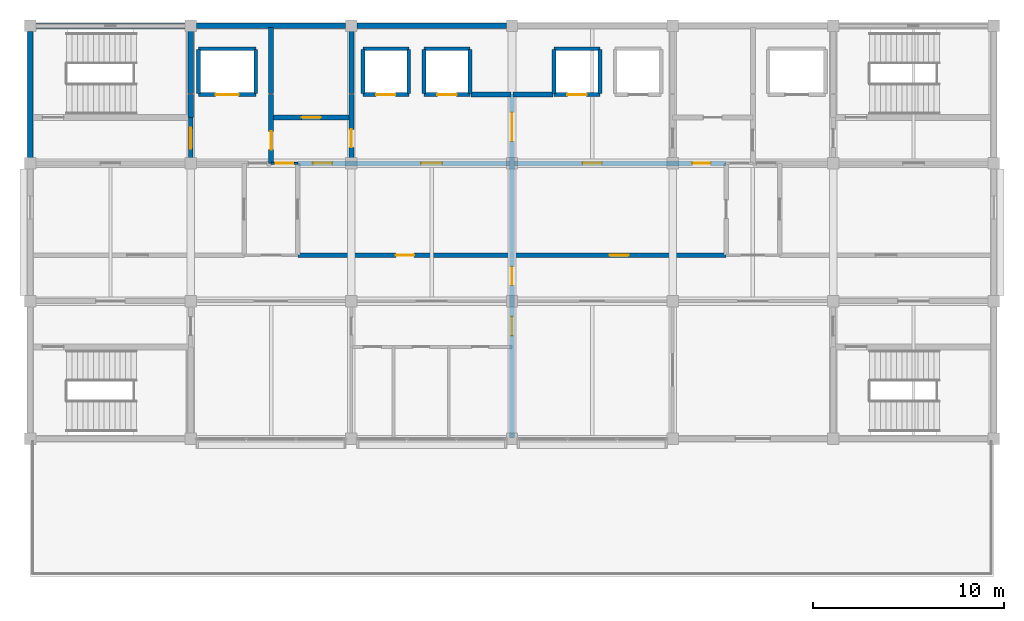
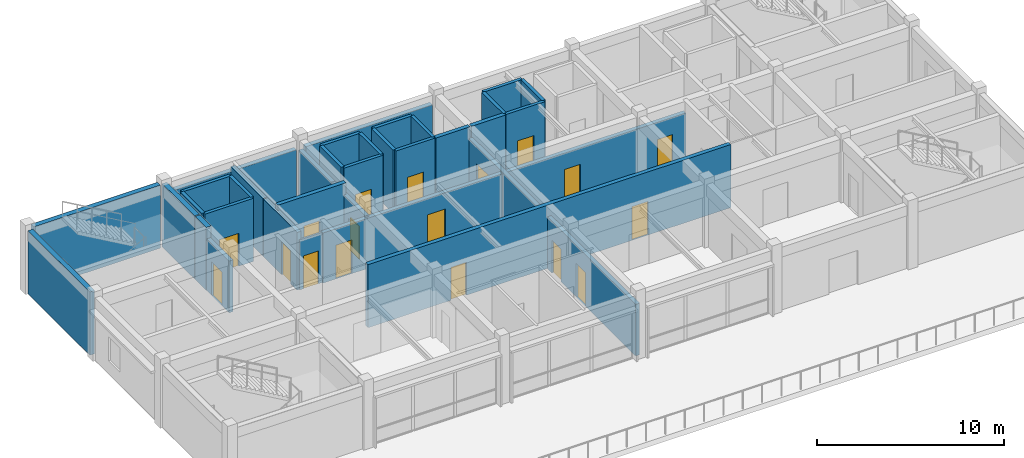
# One storey, part 7 of 11: 34 walls, 18 doors, 18 openings.
"""IFC4 building model written with IfcOpenShell, lengths in metres."""

import ifcopenshell
import ifcopenshell.guid

model = None  # the IFC model being written
_history = None  # IfcOwnerHistory: only IFC2X3 demands one
_inside = {}  # id of a spatial element -> (the spatial element, [elements in it])
_under = {}  # id of a project, library or spatial element -> (it, [spatial elements below it])
_declared = {}  # id of a project -> (the project, [libraries it declares])
_typed = {}  # id of a type object -> (the type object, [elements of that type])
_made_of = {}  # id of a material, layer set ... -> (it, [elements and type objects made of it])


def new_model(schema):
    """Start an empty IFC model of exactly this schema.

    Asked for "IFC4X3", IfcOpenShell would pick the latest addendum, in which some entities
    have other attributes; the version numbers below select the first issue.
    IFC2X3 requires an IfcOwnerHistory on every rooted entity: one is made here for all.
    """
    global model, _history
    if schema == "IFC4X3":
        model = ifcopenshell.file(schema_version=(4, 3, 0, 0))
    else:
        model = ifcopenshell.file(schema=schema)
    _inside.clear()
    _under.clear()
    _declared.clear()
    _typed.clear()
    _made_of.clear()
    _history = None
    if model.schema == "IFC2X3":
        org = make("IfcOrganization", Name="unknown")
        user = make(
            "IfcPersonAndOrganization",
            ThePerson=make("IfcPerson", FamilyName="unknown"),
            TheOrganization=org,
        )
        app = make(
            "IfcApplication",
            ApplicationDeveloper=org,
            Version="unknown",
            ApplicationFullName="unknown",
            ApplicationIdentifier="unknown",
        )
        _history = make(
            "IfcOwnerHistory",
            OwningUser=user,
            OwningApplication=app,
            ChangeAction="ADDED",
            CreationDate=0,
        )
    return model


def make(cls, **values):
    """One entity of the class cls with the attributes given. An attribute that is None is left unset."""
    return model.create_entity(
        cls, **{name: value for name, value in values.items() if value is not None}
    )


def rooted(cls, **values):
    """An entity with a GlobalId (a new one), such as an element, a storey or a relation."""
    return make(cls, GlobalId=ifcopenshell.guid.new(), OwnerHistory=_history, **values)


def si_unit(unit_type, name, prefix=None):
    """IfcSIUnit, for example si_unit("LENGTHUNIT", "METRE", prefix="MILLI")."""
    return make("IfcSIUnit", UnitType=unit_type, Prefix=prefix, Name=name)


def assignment(units):
    """IfcUnitAssignment: the units of a project."""
    return None if units is None else make("IfcUnitAssignment", Units=units)


def point(xyz):
    """IfcCartesianPoint."""
    return None if xyz is None else make("IfcCartesianPoint", Coordinates=xyz)


def direction(xyz):
    """IfcDirection."""
    return None if xyz is None else make("IfcDirection", DirectionRatios=xyz)


def frame(location, z_axis=None, x_axis=None):
    """IfcAxis2Placement3D, a coordinate frame: its origin and axes. An axis left out is left unset."""
    return make(
        "IfcAxis2Placement3D",
        Location=point(location),
        Axis=direction(z_axis),
        RefDirection=direction(x_axis),
    )


def frame_2d(location, x_axis=None):
    """IfcAxis2Placement2D, a coordinate frame in the plane: its origin and x axis."""
    return make(
        "IfcAxis2Placement2D", Location=point(location), RefDirection=direction(x_axis)
    )


def origin():
    """The frame at (0, 0, 0) with its axes left unset."""
    return frame((0.0, 0.0, 0.0))


def place(relative_to, where):
    """IfcLocalPlacement: puts the frame where relative to a parent placement (None: the world)."""
    return make(
        "IfcLocalPlacement", PlacementRelTo=relative_to, RelativePlacement=where
    )


def context(
    kind, dimensions, precision=None, world=None, true_north=None, identifier=None
):
    """IfcGeometricRepresentationContext, for example the 3D "Model" context."""
    return make(
        "IfcGeometricRepresentationContext",
        ContextIdentifier=identifier,
        ContextType=kind,
        CoordinateSpaceDimension=dimensions,
        Precision=precision,
        WorldCoordinateSystem=world,
        TrueNorth=true_north,
    )


def subcontext(parent, identifier, kind, view, scale=None):
    """IfcGeometricRepresentationSubContext, for example "Body" below "Model"."""
    return make(
        "IfcGeometricRepresentationSubContext",
        ContextIdentifier=identifier,
        ContextType=kind,
        ParentContext=parent,
        TargetScale=scale,
        TargetView=view,
    )


def project(units=None, contexts=None):
    """IfcProject with its units and contexts."""
    return rooted(
        "IfcProject",
        Name="project",
        RepresentationContexts=contexts,
        UnitsInContext=assignment(units),
    )


def spatial(cls, under=None, at=None, **own):
    """A site, building, storey or space (cls), placed at a placement, below another one or the project."""
    s = rooted(cls, ObjectPlacement=at, **own)
    if under is not None:
        _under.setdefault(under.id(), (under, []))[1].append(s)
    return s


def profile(cls, at=None, kind="AREA", **sizes):
    """A parametric profile (cls). Its sizes go by their IFC names, for example OverallWidth=200.0."""
    return make(cls, ProfileType=kind, Position=at, **sizes)


def rectangle(**sizes):
    """IfcRectangleProfileDef."""
    return profile("IfcRectangleProfileDef", **sizes)


def extrude(swept, where, along, depth):
    """IfcExtrudedAreaSolid: the profile swept, set in the frame where, extruded along a direction by depth."""
    return make(
        "IfcExtrudedAreaSolid",
        SweptArea=swept,
        Position=where,
        ExtrudedDirection=direction(along),
        Depth=depth,
    )


def shape(context_of_items, identifier, shape_type, items):
    """IfcShapeRepresentation: the items that make up one representation, for example the "Body"."""
    return make(
        "IfcShapeRepresentation",
        ContextOfItems=context_of_items,
        RepresentationIdentifier=identifier,
        RepresentationType=shape_type,
        Items=items,
    )


def material(Name=None, Category=None):
    """IfcMaterial."""
    return make("IfcMaterial", Name=Name, Category=Category)


def layer(
    of_material, thickness, ventilated=None, Name=None, Category=None, Priority=None
):
    """IfcMaterialLayer: one layer of a wall or slab, of a material (None: an air gap)."""
    return make(
        "IfcMaterialLayer",
        Material=of_material,
        LayerThickness=thickness,
        IsVentilated=ventilated,
        Name=Name,
        Category=Category,
        Priority=Priority,
    )


def layer_set(layers, Name=None):
    """IfcMaterialLayerSet."""
    return make("IfcMaterialLayerSet", MaterialLayers=layers, LayerSetName=Name)


def made_of(thing, what):
    """Note that an element or type object is made of a material, layer set ...; save() writes the relation."""
    if what is not None:
        _made_of.setdefault(what.id(), (what, []))[1].append(thing)
    return thing


def type_object(cls, material=None, **own):
    """A type object (cls), such as IfcWallType, which elements share."""
    return made_of(rooted(cls, **own), material)


def element(
    cls,
    number,
    at=None,
    inside=None,
    cuts=None,
    type_object=None,
    material=None,
    context=None,
    identifier="Body",
    shape_type=None,
    held_by="IfcProductDefinitionShape",
    body=None,
    shapes=None,
    **own,
):
    """One element of the class cls, such as IfcWall. Its Tag is "e" and its number.

    at: its placement. inside: the storey or other place that contains it. cuts: it is an
    opening in that element (IfcRelVoidsElement). A single representation is given by context,
    identifier, shape_type and body (its items); several are given by shapes. held_by: the class
    of the entity that holds the representations. save() writes the other relations.
    """
    e = rooted(cls, Tag="e%d" % number, ObjectPlacement=at, **own)
    if body is not None:
        shapes = [shape(context, identifier, shape_type, body)]
    if shapes is not None:
        e.Representation = make(held_by, Representations=shapes)
    if inside is not None:
        _inside.setdefault(inside.id(), (inside, []))[1].append(e)
    if cuts is not None:
        rooted(
            "IfcRelVoidsElement", RelatingBuildingElement=cuts, RelatedOpeningElement=e
        )
    if type_object is not None:
        _typed.setdefault(type_object.id(), (type_object, []))[1].append(e)
    return made_of(e, material)


def fill(opening, filler):
    """IfcRelFillsElement: the door or window that sits in an opening."""
    return rooted(
        "IfcRelFillsElement",
        RelatingOpeningElement=opening,
        RelatedBuildingElement=filler,
    )


def aggregate(whole, parts):
    """IfcRelAggregates: a whole, such as a stair, and the parts it consists of."""
    return rooted("IfcRelAggregates", RelatingObject=whole, RelatedObjects=parts)


def save(model, path):
    """Write the relations noted so far, then the file.

    IfcRelAggregates (storeys below a building ...), IfcRelContainedInSpatialStructure (elements
    in a storey), IfcRelDefinesByType, IfcRelAssociatesMaterial and IfcRelDeclares: one each for
    every whole, place, type object, material and project.
    """
    for whole, parts in _under.values():
        aggregate(whole, parts)
    for where, things in _inside.values():
        rooted(
            "IfcRelContainedInSpatialStructure",
            RelatedElements=things,
            RelatingStructure=where,
        )
    for kind, things in _typed.values():
        rooted("IfcRelDefinesByType", RelatedObjects=things, RelatingType=kind)
    for what, things in _made_of.values():
        rooted("IfcRelAssociatesMaterial", RelatedObjects=things, RelatingMaterial=what)
    for by, libraries in _declared.values():
        rooted("IfcRelDeclares", RelatingContext=by, RelatedDefinitions=libraries)
    model.write(path)


model = new_model("IFC4")

# Units and contexts
model_context = context("Model", 3, precision=1e-05, world=origin(), true_north=direction((0.0, 1.0)))
body_context = subcontext(model_context, "Body", "Model", "MODEL_VIEW")
ifc_project = project(units=[si_unit("LENGTHUNIT", "METRE"), si_unit("AREAUNIT", "SQUARE_METRE"), si_unit("VOLUMEUNIT", "CUBIC_METRE"), si_unit("PLANEANGLEUNIT", "RADIAN"), si_unit("MASSUNIT", "GRAM", prefix="KILO")], contexts=[model_context])

# Site, building, storey
site_placement = place(None, origin())
site = spatial("IfcSite", under=ifc_project, at=site_placement, CompositionType="ELEMENT")
building_placement = place(site_placement, origin())
building = spatial("IfcBuilding", under=site, at=building_placement, Name="Chengyuan Square Courthouse", CompositionType="ELEMENT")
storey_placement = place(building_placement, frame((0.0, 0.0, 68.699951171875)))
storey = spatial("IfcBuildingStorey", under=building, at=storey_placement, Name="L16", CompositionType="ELEMENT", Elevation=68.699951171875)

# Walls
ifc_material_1 = material(Name="Concrete C40", Category="concrete")
ifc_layer_1 = layer(ifc_material_1, 0.280029296875)
ifc_layer_set_1 = layer_set([ifc_layer_1], Name="Concrete C40")
wall_type_1 = type_object("IfcWallType", Name="WL-EW4", PredefinedType="STANDARD", material=ifc_layer_set_1)
wall_1_placement = place(storey_placement, frame((67.4951171875, 108.0, 0.0), z_axis=(0.0, 0.0, 1.0), x_axis=(1.0, 0.0, 0.0)))
element("IfcWall", 1, at=wall_1_placement, inside=storey, type_object=wall_type_1, Name="Exterior Wall WL-L16-E541", PredefinedType="STANDARD", context=body_context, shape_type="SweptSolid", body=[
    extrude(rectangle(XDim=7.809814453125, YDim=0.280029296875, at=frame_2d((3.90478515625, 0.0))), origin(), (0.0, 0.0, 1.0), 3.469970703125),
])
wall_2_placement = place(storey_placement, frame((75.89501953125, 108.0, 0.0), z_axis=(0.0, 0.0, 1.0), x_axis=(1.0, 0.0, 0.0)))
element("IfcWall", 2, at=wall_2_placement, inside=storey, type_object=wall_type_1, Name="Exterior Wall WL-L16-E542", PredefinedType="STANDARD", context=body_context, shape_type="SweptSolid", body=[
    extrude(rectangle(XDim=7.81005859375, YDim=0.280029296875, at=frame_2d((3.905029296875, 0.0))), origin(), (0.0, 0.0, 1.0), 3.469970703125),
])

# Wall, openings, doors
ifc_layer_2 = layer(ifc_material_1, 0.25)
ifc_layer_set_2 = layer_set([ifc_layer_2], Name="Concrete C40")
wall_type_2 = type_object("IfcWallType", Name="WL-FW1", PredefinedType="STANDARD", material=ifc_layer_set_2)
wall_3_placement = place(storey_placement, frame((72.800048828125, 96.0, 0.0), z_axis=(0.0, 0.0, 1.0), x_axis=(1.0, 0.0, 0.0)))
wall_3 = element("IfcWall", 3, at=wall_3_placement, inside=storey, type_object=wall_type_2, Name="Interior Wall WL-L16-I4095", PredefinedType="STANDARD", context=body_context, shape_type="SweptSolid", body=[
    extrude(rectangle(XDim=22.39990234375, YDim=0.25, at=frame_2d((11.199951171875, 0.0))), origin(), (0.0, 0.0, 1.0), 4.1201171875),
])
opening_1_placement = place(wall_3_placement, frame((5.125, 0.0, 0.0)))
opening_1 = element("IfcOpeningElement", 4, at=opening_1_placement, cuts=wall_3, Name="Opening DR-3406", PredefinedType="OPENING", context=body_context, shape_type="SweptSolid", body=[
    extrude(rectangle(XDim=0.949951171875, YDim=2.14990234375, at=frame_2d((0.47509765625, 1.074951171875))), frame((0.0, 0.136962890625, 0.0), z_axis=(0.0, -1.0, 0.0), x_axis=(1.0, 0.0, 0.0)), (0.0, 0.0, 1.0), 0.27392578125),
])
opening_2_placement = place(wall_3_placement, frame((16.300048828125, 0.0, 0.0)))
opening_2 = element("IfcOpeningElement", 5, at=opening_2_placement, cuts=wall_3, Name="Opening DR-3408", PredefinedType="OPENING", context=body_context, shape_type="SweptSolid", body=[
    extrude(rectangle(XDim=1.0, YDim=2.199951171875, at=frame_2d((0.5, 1.10009765625))), frame((0.0, 0.136962890625, 0.0), z_axis=(0.0, -1.0, 0.0), x_axis=(1.0, 0.0, 0.0)), (0.0, 0.0, 1.0), 0.27392578125),
])
ifc_material_2 = material(Name="Steel Q235B Fire Door", Category="steel")
door_type_1 = type_object("IfcDoorType", Name="DT-11", OperationType="NOTDEFINED", PredefinedType="DOOR", material=ifc_material_2)
door_1_placement = place(opening_2_placement, origin())
door_1 = element("IfcDoor", 6, at=door_1_placement, inside=storey, type_object=door_type_1, Name="Interior Door DR-3408", OperationType="SINGLE_SWING_RIGHT", OverallHeight=2.199951171875, OverallWidth=1.0, PredefinedType="DOOR", context=body_context, shape_type="SweptSolid", body=[
    extrude(rectangle(XDim=1.0, YDim=2.199951171875, at=frame_2d((0.5, 1.10009765625))), frame((0.0, 0.02490234375, 0.0), z_axis=(0.0, -1.0, 0.0), x_axis=(1.0, 0.0, 0.0)), (0.0, 0.0, 1.0), 0.050048828125),
])
fill(opening_2, door_1)
door_type_2 = type_object("IfcDoorType", Name="DT-12", OperationType="NOTDEFINED", PredefinedType="DOOR", material=ifc_material_2)
door_2_placement = place(opening_1_placement, origin())
door_2 = element("IfcDoor", 7, at=door_2_placement, inside=storey, type_object=door_type_2, Name="Interior Door DR-3406", OperationType="SINGLE_SWING_LEFT", OverallHeight=2.14990234375, OverallWidth=0.949951171875, PredefinedType="DOOR", context=body_context, shape_type="SweptSolid", body=[
    extrude(rectangle(XDim=0.949951171875, YDim=2.14990234375, at=frame_2d((0.47509765625, 1.074951171875))), frame((0.0, 0.02490234375, 0.0), z_axis=(0.0, -1.0, 0.0), x_axis=(1.0, 0.0, 0.0)), (0.0, 0.0, 1.0), 0.050048828125),
])
fill(opening_1, door_2)

wall_4_placement = place(storey_placement, frame((72.800048828125, 100.800048828125, 0.0), z_axis=(0.0, 0.0, 1.0), x_axis=(1.0, 0.0, 0.0)))
wall_4 = element("IfcWall", 8, at=wall_4_placement, inside=storey, type_object=wall_type_2, Name="Interior Wall WL-L16-I4100", PredefinedType="STANDARD", context=body_context, shape_type="SweptSolid", body=[
    extrude(rectangle(XDim=22.39990234375, YDim=0.25, at=frame_2d((11.199951171875, 0.0))), origin(), (0.0, 0.0, 1.0), 3.27001953125),
])
opening_3_placement = place(wall_4_placement, frame((0.7900390625, 0.0, 0.0)))
opening_3 = element("IfcOpeningElement", 9, at=opening_3_placement, cuts=wall_4, Name="Opening DR-3387", PredefinedType="OPENING", context=body_context, shape_type="SweptSolid", body=[
    extrude(rectangle(XDim=1.0, YDim=2.199951171875, at=frame_2d((0.5, 1.10009765625))), frame((0.0, 0.136962890625, 0.0), z_axis=(0.0, -1.0, 0.0), x_axis=(1.0, 0.0, 0.0)), (0.0, 0.0, 1.0), 0.27392578125),
])
opening_4_placement = place(wall_4_placement, frame((20.635009765625, 0.0, 0.0)))
opening_4 = element("IfcOpeningElement", 10, at=opening_4_placement, cuts=wall_4, Name="Opening DR-3391", PredefinedType="OPENING", context=body_context, shape_type="SweptSolid", body=[
    extrude(rectangle(XDim=0.949951171875, YDim=2.14990234375, at=frame_2d((0.47509765625, 1.074951171875))), frame((0.0, 0.136962890625, 0.0), z_axis=(0.0, -1.0, 0.0), x_axis=(1.0, 0.0, 0.0)), (0.0, 0.0, 1.0), 0.27392578125),
])
opening_5_placement = place(wall_4_placement, frame((6.449951171875, 0.0, 0.0)))
opening_5 = element("IfcOpeningElement", 11, at=opening_5_placement, cuts=wall_4, Name="Opening DR-3395", PredefinedType="OPENING", context=body_context, shape_type="SweptSolid", body=[
    extrude(rectangle(XDim=1.10009765625, YDim=2.199951171875, at=frame_2d((0.550048828125, 1.10009765625))), frame((0.0, 0.136962890625, 0.0), z_axis=(0.0, -1.0, 0.0), x_axis=(1.0, 0.0, 0.0)), (0.0, 0.0, 1.0), 0.27392578125),
])
opening_6_placement = place(wall_4_placement, frame((14.89990234375, 0.0, 0.0)))
opening_6 = element("IfcOpeningElement", 12, at=opening_6_placement, cuts=wall_4, Name="Opening DR-3396", PredefinedType="OPENING", context=body_context, shape_type="SweptSolid", body=[
    extrude(rectangle(XDim=1.0, YDim=2.199951171875, at=frame_2d((0.5, 1.10009765625))), frame((0.0, 0.136962890625, 0.0), z_axis=(0.0, -1.0, 0.0), x_axis=(1.0, 0.0, 0.0)), (0.0, 0.0, 1.0), 0.27392578125),
])
door_type_3 = type_object("IfcDoorType", Name="DT-10", OperationType="NOTDEFINED", PredefinedType="DOOR", material=ifc_material_2)
door_3_placement = place(opening_5_placement, origin())
door_3 = element("IfcDoor", 13, at=door_3_placement, inside=storey, type_object=door_type_3, Name="Interior Door DR-3395", OperationType="SINGLE_SWING_LEFT", OverallHeight=2.199951171875, OverallWidth=1.10009765625, PredefinedType="DOOR", context=body_context, shape_type="SweptSolid", body=[
    extrude(rectangle(XDim=1.10009765625, YDim=2.199951171875, at=frame_2d((0.550048828125, 1.10009765625))), frame((0.0, 0.02490234375, 0.0), z_axis=(0.0, -1.0, 0.0), x_axis=(1.0, 0.0, 0.0)), (0.0, 0.0, 1.0), 0.050048828125),
])
fill(opening_5, door_3)
door_4_placement = place(opening_3_placement, origin())
door_4 = element("IfcDoor", 14, at=door_4_placement, inside=storey, type_object=door_type_1, Name="Interior Door DR-3387", OperationType="SINGLE_SWING_RIGHT", OverallHeight=2.199951171875, OverallWidth=1.0, PredefinedType="DOOR", context=body_context, shape_type="SweptSolid", body=[
    extrude(rectangle(XDim=1.0, YDim=2.199951171875, at=frame_2d((0.5, 1.10009765625))), frame((0.0, 0.02490234375, 0.0), z_axis=(0.0, -1.0, 0.0), x_axis=(1.0, 0.0, 0.0)), (0.0, 0.0, 1.0), 0.050048828125),
])
fill(opening_3, door_4)
door_5_placement = place(opening_6_placement, origin())
door_5 = element("IfcDoor", 15, at=door_5_placement, inside=storey, type_object=door_type_1, Name="Interior Door DR-3396", OperationType="SINGLE_SWING_RIGHT", OverallHeight=2.199951171875, OverallWidth=1.0, PredefinedType="DOOR", context=body_context, shape_type="SweptSolid", body=[
    extrude(rectangle(XDim=1.0, YDim=2.199951171875, at=frame_2d((0.5, 1.10009765625))), frame((0.0, 0.02490234375, 0.0), z_axis=(0.0, -1.0, 0.0), x_axis=(1.0, 0.0, 0.0)), (0.0, 0.0, 1.0), 0.050048828125),
])
fill(opening_6, door_5)
door_6_placement = place(opening_4_placement, origin())
door_6 = element("IfcDoor", 16, at=door_6_placement, inside=storey, type_object=door_type_2, Name="Interior Door DR-3391", OperationType="SINGLE_SWING_RIGHT", OverallHeight=2.14990234375, OverallWidth=0.949951171875, PredefinedType="DOOR", context=body_context, shape_type="SweptSolid", body=[
    extrude(rectangle(XDim=0.949951171875, YDim=2.14990234375, at=frame_2d((0.47509765625, 1.074951171875))), frame((0.0, 0.02490234375, 0.0), z_axis=(0.0, -1.0, 0.0), x_axis=(1.0, 0.0, 0.0)), (0.0, 0.0, 1.0), 0.050048828125),
])
fill(opening_4, door_6)

# Wall, opening, door
wall_5_placement = place(storey_placement, frame((71.39990234375, 103.199951171875, 0.0), z_axis=(0.0, 0.0, 1.0), x_axis=(1.0, 0.0, 0.0)))
wall_5 = element("IfcWall", 17, at=wall_5_placement, inside=storey, type_object=wall_type_2, Name="Interior Wall WL-L16-I4104", PredefinedType="STANDARD", context=body_context, shape_type="SweptSolid", body=[
    extrude(rectangle(XDim=4.2001953125, YDim=0.25, at=frame_2d((2.10009765625, 0.0))), origin(), (0.0, 0.0, 1.0), 4.1201171875),
])
opening_7_placement = place(wall_5_placement, frame((1.60009765625, 0.0, 0.0)))
opening_7 = element("IfcOpeningElement", 18, at=opening_7_placement, cuts=wall_5, Name="Opening DR-3384", PredefinedType="OPENING", context=body_context, shape_type="SweptSolid", body=[
    extrude(rectangle(XDim=1.0, YDim=2.199951171875, at=frame_2d((0.5, 1.10009765625))), frame((0.0, 0.136962890625, 0.0), z_axis=(0.0, -1.0, 0.0), x_axis=(1.0, 0.0, 0.0)), (0.0, 0.0, 1.0), 0.27392578125),
])
door_7_placement = place(opening_7_placement, origin())
door_7 = element("IfcDoor", 19, at=door_7_placement, inside=storey, type_object=door_type_1, Name="Interior Door DR-3384", OperationType="SINGLE_SWING_LEFT", OverallHeight=2.199951171875, OverallWidth=1.0, PredefinedType="DOOR", context=body_context, shape_type="SweptSolid", body=[
    extrude(rectangle(XDim=1.0, YDim=2.199951171875, at=frame_2d((0.5, 1.10009765625))), frame((0.0, 0.02490234375, 0.0), z_axis=(0.0, -1.0, 0.0), x_axis=(1.0, 0.0, 0.0)), (0.0, 0.0, 1.0), 0.050048828125),
])
fill(opening_7, door_7)

# Walls
for number, where, z_axis, x_axis, name in (
    (20, (81.85009765625, 104.39990234375, 0.0), (0.0, 0.0, 1.0), (1.0, 0.0, 0.0), "Interior Wall WL-L16-I4110"),
    (21, (84.050048828125, 104.39990234375, 0.0), (0.0, 0.0, 1.0), (1.0, 0.0, 0.0), "Interior Wall WL-L16-I4111"),
):
    element("IfcWall", number, at=place(storey_placement, frame(where, z_axis=z_axis, x_axis=x_axis)), inside=storey, type_object=wall_type_2, Name=name, PredefinedType="STANDARD", context=body_context, shape_type="SweptSolid", body=[
        extrude(rectangle(XDim=2.099853515625, YDim=0.25, at=frame_2d((1.0498046875, 0.0))), origin(), (0.0, 0.0, 1.0), 4.1201171875),
    ])

# Wall, opening, door
wall_6_placement = place(storey_placement, frame((67.199951171875, 100.800048828125, 0.0), z_axis=(0.0, 0.0, 1.0), x_axis=(0.0, 1.0, 0.0)))
wall_6 = element("IfcWall", 22, at=wall_6_placement, inside=storey, type_object=wall_type_2, Name="Interior Wall WL-L16-I4123", PredefinedType="STANDARD", context=body_context, shape_type="SweptSolid", body=[
    extrude(rectangle(XDim=2.39990234375, YDim=0.25, at=frame_2d((1.199951171875, 0.0))), origin(), (0.0, 0.0, 1.0), 3.3701171875),
])
opening_8_placement = place(wall_6_placement, frame((0.760009765625, 0.0, 0.0)))
opening_8 = element("IfcOpeningElement", 23, at=opening_8_placement, cuts=wall_6, Name="Opening DR-3374", PredefinedType="OPENING", context=body_context, shape_type="SweptSolid", body=[
    extrude(rectangle(XDim=1.10009765625, YDim=2.199951171875, at=frame_2d((0.550048828125, 1.10009765625))), frame((0.0, 0.136962890625, 0.0), z_axis=(0.0, -1.0, 0.0), x_axis=(1.0, 0.0, 0.0)), (0.0, 0.0, 1.0), 0.27392578125),
])
door_8_placement = place(opening_8_placement, origin())
door_8 = element("IfcDoor", 24, at=door_8_placement, inside=storey, type_object=door_type_3, Name="Interior Door DR-3374", OperationType="SINGLE_SWING_LEFT", OverallHeight=2.199951171875, OverallWidth=1.10009765625, PredefinedType="DOOR", context=body_context, shape_type="SweptSolid", body=[
    extrude(rectangle(XDim=1.10009765625, YDim=2.199951171875, at=frame_2d((0.550048828125, 1.10009765625))), frame((0.0, 0.02490234375, 0.0), z_axis=(0.0, -1.0, 0.0), x_axis=(1.0, 0.0, 0.0)), (0.0, 0.0, 1.0), 0.050048828125),
])
fill(opening_8, door_8)

wall_7_placement = place(storey_placement, frame((71.39990234375, 100.800048828125, 0.0), z_axis=(0.0, 0.0, 1.0), x_axis=(0.0, 1.0, 0.0)))
wall_7 = element("IfcWall", 25, at=wall_7_placement, inside=storey, type_object=wall_type_2, Name="Interior Wall WL-L16-I4129", PredefinedType="STANDARD", context=body_context, shape_type="SweptSolid", body=[
    extrude(rectangle(XDim=3.599853515625, YDim=0.25, at=frame_2d((1.7998046875, 0.0))), origin(), (0.0, 0.0, 1.0), 3.77001953125),
])
opening_9_placement = place(wall_7_placement, frame((0.72509765625, 0.0, 0.0)))
opening_9 = element("IfcOpeningElement", 26, at=opening_9_placement, cuts=wall_7, Name="Opening DR-3382", PredefinedType="OPENING", context=body_context, shape_type="SweptSolid", body=[
    extrude(rectangle(XDim=0.949951171875, YDim=2.14990234375, at=frame_2d((0.47509765625, 1.074951171875))), frame((0.0, 0.136962890625, 0.0), z_axis=(0.0, -1.0, 0.0), x_axis=(1.0, 0.0, 0.0)), (0.0, 0.0, 1.0), 0.27392578125),
])
door_9_placement = place(opening_9_placement, origin())
door_9 = element("IfcDoor", 27, at=door_9_placement, inside=storey, type_object=door_type_2, Name="Interior Door DR-3382", OperationType="SINGLE_SWING_LEFT", OverallHeight=2.14990234375, OverallWidth=0.949951171875, PredefinedType="DOOR", context=body_context, shape_type="SweptSolid", body=[
    extrude(rectangle(XDim=0.949951171875, YDim=2.14990234375, at=frame_2d((0.47509765625, 1.074951171875))), frame((0.0, 0.02490234375, 0.0), z_axis=(0.0, -1.0, 0.0), x_axis=(1.0, 0.0, 0.0)), (0.0, 0.0, 1.0), 0.050048828125),
])
fill(opening_9, door_9)

# Wall
wall_8_placement = place(storey_placement, frame((71.39990234375, 104.449951171875, 0.0), z_axis=(0.0, 0.0, 1.0), x_axis=(0.0, 1.0, 0.0)))
element("IfcWall", 28, at=wall_8_placement, inside=storey, type_object=wall_type_2, Name="Interior Wall WL-L16-I4130", PredefinedType="STANDARD", context=body_context, shape_type="SweptSolid", body=[
    extrude(rectangle(XDim=3.4599609375, YDim=0.25, at=frame_2d((1.72998046875, 0.0))), origin(), (0.0, 0.0, 1.0), 3.77001953125),
])

# Wall, opening, door
wall_9_placement = place(storey_placement, frame((75.60009765625, 100.800048828125, 0.0), z_axis=(0.0, 0.0, 1.0), x_axis=(0.0, 1.0, 0.0)))
wall_9 = element("IfcWall", 29, at=wall_9_placement, inside=storey, type_object=wall_type_2, Name="Interior Wall WL-L16-I4134", PredefinedType="STANDARD", context=body_context, shape_type="SweptSolid", body=[
    extrude(rectangle(XDim=3.599853515625, YDim=0.25, at=frame_2d((1.7998046875, 0.0))), origin(), (0.0, 0.0, 1.0), 3.3701171875),
])
opening_10_placement = place(wall_9_placement, frame((0.8349609375, 0.0, 0.0)))
opening_10 = element("IfcOpeningElement", 30, at=opening_10_placement, cuts=wall_9, Name="Opening DR-3385", PredefinedType="OPENING", context=body_context, shape_type="SweptSolid", body=[
    extrude(rectangle(XDim=0.949951171875, YDim=2.14990234375, at=frame_2d((0.47509765625, 1.074951171875))), frame((0.0, 0.136962890625, 0.0), z_axis=(0.0, -1.0, 0.0), x_axis=(1.0, 0.0, 0.0)), (0.0, 0.0, 1.0), 0.27392578125),
])
door_10_placement = place(opening_10_placement, origin())
door_10 = element("IfcDoor", 31, at=door_10_placement, inside=storey, type_object=door_type_2, Name="Interior Door DR-3385", OperationType="SINGLE_SWING_RIGHT", OverallHeight=2.14990234375, OverallWidth=0.949951171875, PredefinedType="DOOR", context=body_context, shape_type="SweptSolid", body=[
    extrude(rectangle(XDim=0.949951171875, YDim=2.14990234375, at=frame_2d((0.47509765625, 1.074951171875))), frame((0.0, 0.02490234375, 0.0), z_axis=(0.0, -1.0, 0.0), x_axis=(1.0, 0.0, 0.0)), (0.0, 0.0, 1.0), 0.050048828125),
])
fill(opening_10, door_10)

# Wall
wall_10_placement = place(storey_placement, frame((75.60009765625, 104.449951171875, 0.0), z_axis=(0.0, 0.0, 1.0), x_axis=(0.0, 1.0, 0.0)))
element("IfcWall", 32, at=wall_10_placement, inside=storey, type_object=wall_type_2, Name="Interior Wall WL-L16-I4135", PredefinedType="STANDARD", context=body_context, shape_type="SweptSolid", body=[
    extrude(rectangle(XDim=3.4599609375, YDim=0.25, at=frame_2d((1.72998046875, 0.0))), origin(), (0.0, 0.0, 1.0), 3.3701171875),
])

# Wall, openings, doors
wall_11_placement = place(storey_placement, frame((84.0, 86.43994140625, 0.0), z_axis=(0.0, 0.0, 1.0), x_axis=(0.0, 1.0, 0.0)))
wall_11 = element("IfcWall", 33, at=wall_11_placement, inside=storey, type_object=wall_type_2, Name="Interior Wall WL-L16-I4142", PredefinedType="STANDARD", context=body_context, shape_type="SweptSolid", body=[
    extrude(rectangle(XDim=17.9599609375, YDim=0.25, at=frame_2d((8.97998046875, 0.0))), origin(), (0.0, 0.0, 1.0), 3.3701171875),
])
opening_11_placement = place(wall_11_placement, frame((15.52001953125, 0.0, 0.0)))
opening_11 = element("IfcOpeningElement", 34, at=opening_11_placement, cuts=wall_11, Name="Opening DR-3394", PredefinedType="OPENING", context=body_context, shape_type="SweptSolid", body=[
    extrude(rectangle(XDim=1.5, YDim=2.25, at=frame_2d((0.75, 1.125))), frame((0.0, 0.136962890625, 0.0), z_axis=(0.0, -1.0, 0.0), x_axis=(1.0, 0.0, 0.0)), (0.0, 0.0, 1.0), 0.27392578125),
])
opening_12_placement = place(wall_11_placement, frame((5.35009765625, 0.0, 0.0)))
opening_12 = element("IfcOpeningElement", 35, at=opening_12_placement, cuts=wall_11, Name="Opening DR-3402", PredefinedType="OPENING", context=body_context, shape_type="SweptSolid", body=[
    extrude(rectangle(XDim=1.0, YDim=2.199951171875, at=frame_2d((0.5, 1.10009765625))), frame((0.0, 0.136962890625, 0.0), z_axis=(0.0, -1.0, 0.0), x_axis=(1.0, 0.0, 0.0)), (0.0, 0.0, 1.0), 0.27392578125),
])
opening_13_placement = place(wall_11_placement, frame((7.9951171875, 0.0, 0.0)))
opening_13 = element("IfcOpeningElement", 36, at=opening_13_placement, cuts=wall_11, Name="Opening DR-3403", PredefinedType="OPENING", context=body_context, shape_type="SweptSolid", body=[
    extrude(rectangle(XDim=0.949951171875, YDim=2.14990234375, at=frame_2d((0.47509765625, 1.074951171875))), frame((0.0, 0.136962890625, 0.0), z_axis=(0.0, -1.0, 0.0), x_axis=(1.0, 0.0, 0.0)), (0.0, 0.0, 1.0), 0.27392578125),
])
door_11_placement = place(opening_12_placement, origin())
door_11 = element("IfcDoor", 37, at=door_11_placement, inside=storey, type_object=door_type_1, Name="Interior Door DR-3402", OperationType="SINGLE_SWING_LEFT", OverallHeight=2.199951171875, OverallWidth=1.0, PredefinedType="DOOR", context=body_context, shape_type="SweptSolid", body=[
    extrude(rectangle(XDim=1.0, YDim=2.199951171875, at=frame_2d((0.5, 1.10009765625))), frame((0.0, 0.02490234375, 0.0), z_axis=(0.0, -1.0, 0.0), x_axis=(1.0, 0.0, 0.0)), (0.0, 0.0, 1.0), 0.050048828125),
])
fill(opening_12, door_11)
door_12_placement = place(opening_13_placement, origin())
door_12 = element("IfcDoor", 38, at=door_12_placement, inside=storey, type_object=door_type_2, Name="Interior Door DR-3403", OperationType="SINGLE_SWING_RIGHT", OverallHeight=2.14990234375, OverallWidth=0.949951171875, PredefinedType="DOOR", context=body_context, shape_type="SweptSolid", body=[
    extrude(rectangle(XDim=0.949951171875, YDim=2.14990234375, at=frame_2d((0.47509765625, 1.074951171875))), frame((0.0, 0.02490234375, 0.0), z_axis=(0.0, -1.0, 0.0), x_axis=(1.0, 0.0, 0.0)), (0.0, 0.0, 1.0), 0.050048828125),
])
fill(opening_13, door_12)
ifc_material_3 = material(Name="Steel Q235B Glazed Fire Door", Category="steel")
door_type_4 = type_object("IfcDoorType", Name="DT-19", OperationType="DOUBLE_DOOR_SINGLE_SWING", PredefinedType="DOOR", material=ifc_material_3)
door_13_placement = place(opening_11_placement, frame((1.5, 0.0, 0.0), z_axis=(0.0, 0.0, 1.0), x_axis=(-1.0, 0.0, 0.0)))
door_13 = element("IfcDoor", 39, at=door_13_placement, inside=storey, type_object=door_type_4, Name="Interior Door DR-3394", OperationType="DOUBLE_DOOR_SINGLE_SWING", OverallHeight=2.25, OverallWidth=1.5, PredefinedType="DOOR", context=body_context, shape_type="SweptSolid", body=[
    extrude(rectangle(XDim=1.5, YDim=2.25, at=frame_2d((0.75, 1.125))), frame((0.0, 0.02490234375, 0.0), z_axis=(0.0, -1.0, 0.0), x_axis=(1.0, 0.0, 0.0)), (0.0, 0.0, 1.0), 0.050048828125),
])
fill(opening_11, door_13)

# Wall, opening, door
ifc_material_4 = material(Name="Gypsum Plasterboard Acoustic Stud Partition")
ifc_layer_3 = layer(ifc_material_4, 0.10009765625)
ifc_layer_set_3 = layer_set([ifc_layer_3], Name="Gypsum Plasterboard Acoustic Stud Partition")
wall_type_3 = type_object("IfcWallType", Name="WL-PT6", PredefinedType="STANDARD", material=ifc_layer_set_3)
wall_12_placement = place(storey_placement, frame((71.39990234375, 100.800048828125, 0.0), z_axis=(0.0, 0.0, 1.0), x_axis=(1.0, 0.0, 0.0)))
wall_12 = element("IfcWall", 40, at=wall_12_placement, inside=storey, type_object=wall_type_3, Name="Interior Wall WL-L16-I4099", PredefinedType="STANDARD", context=body_context, shape_type="SweptSolid", body=[
    extrude(rectangle(XDim=1.400146484375, YDim=0.10009765625, at=frame_2d((0.7001953125, 0.0))), origin(), (0.0, 0.0, 1.0), 3.27001953125),
])
opening_14_placement = place(wall_12_placement, frame((0.239990234375, 0.0, 0.0)))
opening_14 = element("IfcOpeningElement", 41, at=opening_14_placement, cuts=wall_12, Name="Opening DR-3386", PredefinedType="OPENING", context=body_context, shape_type="SweptSolid", body=[
    extrude(rectangle(XDim=0.919921875, YDim=2.14990234375, at=frame_2d((0.4599609375, 1.074951171875))), frame((0.0, 0.06201171875, 0.0), z_axis=(0.0, -1.0, 0.0), x_axis=(1.0, 0.0, 0.0)), (0.0, 0.0, 1.0), 0.1240234375),
])
ifc_material_5 = material(Name="Acoustic Solid-Core Timber Door", Category="wood")
door_type_5 = type_object("IfcDoorType", Name="DT-29", OperationType="NOTDEFINED", PredefinedType="DOOR", material=ifc_material_5)
door_14_placement = place(opening_14_placement, origin())
door_14 = element("IfcDoor", 42, at=door_14_placement, inside=storey, type_object=door_type_5, Name="Interior Door DR-3386", OperationType="SINGLE_SWING_LEFT", OverallHeight=2.14990234375, OverallWidth=0.919921875, PredefinedType="DOOR", context=body_context, shape_type="SweptSolid", body=[
    extrude(rectangle(XDim=0.919921875, YDim=2.14990234375, at=frame_2d((0.4599609375, 1.074951171875))), frame((0.0, 0.02490234375, 0.0), z_axis=(0.0, -1.0, 0.0), x_axis=(1.0, 0.0, 0.0)), (0.0, 0.0, 1.0), 0.050048828125),
])
fill(opening_14, door_14)

ifc_material_6 = material(Name="Reinforced Masonry Shaft Enclosure", Category="masonry")
ifc_layer_4 = layer(ifc_material_6, 0.199951171875)
ifc_layer_set_4 = layer_set([ifc_layer_4], Name="Reinforced Masonry Shaft Enclosure")
wall_type_4 = type_object("IfcWallType", Name="WL-SH1", PredefinedType="STANDARD", material=ifc_layer_set_4)
wall_13_placement = place(storey_placement, frame((67.60009765625, 104.39990234375, 0.0), z_axis=(0.0, 0.0, 1.0), x_axis=(1.0, 0.0, 0.0)))
wall_13 = element("IfcWall", 43, at=wall_13_placement, inside=storey, type_object=wall_type_4, Name="Interior Wall WL-L16-I4107", PredefinedType="STANDARD", context=body_context, shape_type="SweptSolid", body=[
    extrude(rectangle(XDim=3.0, YDim=0.199951171875, at=frame_2d((1.5, 0.0))), origin(), (0.0, 0.0, 1.0), 4.1201171875),
])
opening_15_placement = place(wall_13_placement, frame((0.89990234375, 0.0, 0.0)))
opening_15 = element("IfcOpeningElement", 44, at=opening_15_placement, cuts=wall_13, Name="Opening LD-211", PredefinedType="OPENING", context=body_context, shape_type="SweptSolid", body=[
    extrude(rectangle(XDim=1.199951171875, YDim=2.14990234375, at=frame_2d((0.60009765625, 1.074951171875))), frame((0.0, 0.112060546875, 0.0), z_axis=(0.0, -1.0, 0.0), x_axis=(1.0, 0.0, 0.0)), (0.0, 0.0, 1.0), 0.223876953125),
])
ifc_material_7 = material(Name="Stainless Steel S30408 Lift Landing Door", Category="steel")
door_type_6 = type_object("IfcDoorType", Name="DT-05", OperationType="DOUBLE_DOOR_SLIDING", PredefinedType="DOOR", material=ifc_material_7)
door_15_placement = place(opening_15_placement, origin())
door_15 = element("IfcDoor", 45, at=door_15_placement, inside=storey, type_object=door_type_6, Name="Lift Landing Door LF-F1 L16", OperationType="DOUBLE_DOOR_SLIDING", OverallHeight=2.14990234375, OverallWidth=1.199951171875, PredefinedType="DOOR", context=body_context, shape_type="SweptSolid", body=[
    extrude(rectangle(XDim=1.199951171875, YDim=2.14990234375, at=frame_2d((0.60009765625, 1.074951171875))), frame((0.0, 0.02490234375, 0.0), z_axis=(0.0, -1.0, 0.0), x_axis=(1.0, 0.0, 0.0)), (0.0, 0.0, 1.0), 0.050048828125),
])
fill(opening_15, door_15)

wall_14_placement = place(storey_placement, frame((76.199951171875, 104.39990234375, 0.0), z_axis=(0.0, 0.0, 1.0), x_axis=(1.0, 0.0, 0.0)))
wall_14 = element("IfcWall", 46, at=wall_14_placement, inside=storey, type_object=wall_type_4, Name="Interior Wall WL-L16-I4108", PredefinedType="STANDARD", context=body_context, shape_type="SweptSolid", body=[
    extrude(rectangle(XDim=2.400146484375, YDim=0.199951171875, at=frame_2d((1.2001953125, 0.0))), origin(), (0.0, 0.0, 1.0), 4.1201171875),
])
opening_16_placement = place(wall_14_placement, frame((0.699951171875, 0.0, 0.0)))
opening_16 = element("IfcOpeningElement", 47, at=opening_16_placement, cuts=wall_14, Name="Opening LD-213", PredefinedType="OPENING", context=body_context, shape_type="SweptSolid", body=[
    extrude(rectangle(XDim=1.0, YDim=2.14990234375, at=frame_2d((0.5, 1.074951171875))), frame((0.0, 0.112060546875, 0.0), z_axis=(0.0, -1.0, 0.0), x_axis=(1.0, 0.0, 0.0)), (0.0, 0.0, 1.0), 0.223876953125),
])
door_type_7 = type_object("IfcDoorType", Name="DT-07", OperationType="DOUBLE_DOOR_SLIDING", PredefinedType="DOOR", material=ifc_material_7)
door_16_placement = place(opening_16_placement, origin())
door_16 = element("IfcDoor", 48, at=door_16_placement, inside=storey, type_object=door_type_7, Name="Lift Landing Door LF-J1 L16", OperationType="DOUBLE_DOOR_SLIDING", OverallHeight=2.14990234375, OverallWidth=1.0, PredefinedType="DOOR", context=body_context, shape_type="SweptSolid", body=[
    extrude(rectangle(XDim=1.0, YDim=2.14990234375, at=frame_2d((0.5, 1.074951171875))), frame((0.0, 0.02490234375, 0.0), z_axis=(0.0, -1.0, 0.0), x_axis=(1.0, 0.0, 0.0)), (0.0, 0.0, 1.0), 0.050048828125),
])
fill(opening_16, door_16)

wall_15_placement = place(storey_placement, frame((79.39990234375, 104.39990234375, 0.0), z_axis=(0.0, 0.0, 1.0), x_axis=(1.0, 0.0, 0.0)))
wall_15 = element("IfcWall", 49, at=wall_15_placement, inside=storey, type_object=wall_type_4, Name="Interior Wall WL-L16-I4109", PredefinedType="STANDARD", context=body_context, shape_type="SweptSolid", body=[
    extrude(rectangle(XDim=2.400146484375, YDim=0.199951171875, at=frame_2d((1.2001953125, 0.0))), origin(), (0.0, 0.0, 1.0), 4.1201171875),
])
opening_17_placement = place(wall_15_placement, frame((0.699951171875, 0.0, 0.0)))
opening_17 = element("IfcOpeningElement", 50, at=opening_17_placement, cuts=wall_15, Name="Opening LD-214", PredefinedType="OPENING", context=body_context, shape_type="SweptSolid", body=[
    extrude(rectangle(XDim=1.0, YDim=2.14990234375, at=frame_2d((0.5, 1.074951171875))), frame((0.0, 0.112060546875, 0.0), z_axis=(0.0, -1.0, 0.0), x_axis=(1.0, 0.0, 0.0)), (0.0, 0.0, 1.0), 0.223876953125),
])
door_17_placement = place(opening_17_placement, origin())
door_17 = element("IfcDoor", 51, at=door_17_placement, inside=storey, type_object=door_type_7, Name="Lift Landing Door LF-J2 L16", OperationType="DOUBLE_DOOR_SLIDING", OverallHeight=2.14990234375, OverallWidth=1.0, PredefinedType="DOOR", context=body_context, shape_type="SweptSolid", body=[
    extrude(rectangle(XDim=1.0, YDim=2.14990234375, at=frame_2d((0.5, 1.074951171875))), frame((0.0, 0.02490234375, 0.0), z_axis=(0.0, -1.0, 0.0), x_axis=(1.0, 0.0, 0.0)), (0.0, 0.0, 1.0), 0.050048828125),
])
fill(opening_17, door_17)

wall_16_placement = place(storey_placement, frame((86.199951171875, 104.39990234375, 0.0), z_axis=(0.0, 0.0, 1.0), x_axis=(1.0, 0.0, 0.0)))
wall_16 = element("IfcWall", 52, at=wall_16_placement, inside=storey, type_object=wall_type_4, Name="Interior Wall WL-L16-I4112", PredefinedType="STANDARD", context=body_context, shape_type="SweptSolid", body=[
    extrude(rectangle(XDim=2.400146484375, YDim=0.199951171875, at=frame_2d((1.2001953125, 0.0))), origin(), (0.0, 0.0, 1.0), 4.1201171875),
])
opening_18_placement = place(wall_16_placement, frame((0.699951171875, 0.0, 0.0)))
opening_18 = element("IfcOpeningElement", 53, at=opening_18_placement, cuts=wall_16, Name="Opening LD-215", PredefinedType="OPENING", context=body_context, shape_type="SweptSolid", body=[
    extrude(rectangle(XDim=1.0, YDim=2.14990234375, at=frame_2d((0.5, 1.074951171875))), frame((0.0, 0.112060546875, 0.0), z_axis=(0.0, -1.0, 0.0), x_axis=(1.0, 0.0, 0.0)), (0.0, 0.0, 1.0), 0.223876953125),
])
door_18_placement = place(opening_18_placement, origin())
door_18 = element("IfcDoor", 54, at=door_18_placement, inside=storey, type_object=door_type_7, Name="Lift Landing Door LF-J3 L16", OperationType="DOUBLE_DOOR_SLIDING", OverallHeight=2.14990234375, OverallWidth=1.0, PredefinedType="DOOR", context=body_context, shape_type="SweptSolid", body=[
    extrude(rectangle(XDim=1.0, YDim=2.14990234375, at=frame_2d((0.5, 1.074951171875))), frame((0.0, 0.02490234375, 0.0), z_axis=(0.0, -1.0, 0.0), x_axis=(1.0, 0.0, 0.0)), (0.0, 0.0, 1.0), 0.050048828125),
])
fill(opening_18, door_18)

# Walls
wall_17_placement = place(storey_placement, frame((67.60009765625, 106.800048828125, 0.0), z_axis=(0.0, 0.0, 1.0), x_axis=(1.0, 0.0, 0.0)))
element("IfcWall", 55, at=wall_17_placement, inside=storey, type_object=wall_type_4, Name="Interior Wall WL-L16-I4115", PredefinedType="STANDARD", context=body_context, shape_type="SweptSolid", body=[
    extrude(rectangle(XDim=3.0, YDim=0.199951171875, at=frame_2d((1.5, 0.0))), origin(), (0.0, 0.0, 1.0), 4.1201171875),
])
for number, where, z_axis, x_axis, name in (
    (56, (76.199951171875, 106.800048828125, 0.0), (0.0, 0.0, 1.0), (1.0, 0.0, 0.0), "Interior Wall WL-L16-I4116"),
    (57, (79.39990234375, 106.800048828125, 0.0), (0.0, 0.0, 1.0), (1.0, 0.0, 0.0), "Interior Wall WL-L16-I4117"),
    (58, (86.199951171875, 106.800048828125, 0.0), (0.0, 0.0, 1.0), (1.0, 0.0, 0.0), "Interior Wall WL-L16-I4118"),
):
    element("IfcWall", number, at=place(storey_placement, frame(where, z_axis=z_axis, x_axis=x_axis)), inside=storey, type_object=wall_type_4, Name=name, PredefinedType="STANDARD", context=body_context, shape_type="SweptSolid", body=[
        extrude(rectangle(XDim=2.400146484375, YDim=0.199951171875, at=frame_2d((1.2001953125, 0.0))), origin(), (0.0, 0.0, 1.0), 4.1201171875),
    ])
for number, where, z_axis, x_axis, name in (
    (59, (67.60009765625, 104.449951171875, 0.0), (0.0, 0.0, 1.0), (0.0, 1.0, 0.0), "Interior Wall WL-L16-I4126"),
    (60, (70.60009765625, 104.449951171875, 0.0), (0.0, 0.0, 1.0), (0.0, 1.0, 0.0), "Interior Wall WL-L16-I4128"),
    (61, (76.199951171875, 104.449951171875, 0.0), (0.0, 0.0, 1.0), (0.0, 1.0, 0.0), "Interior Wall WL-L16-I4136"),
    (62, (78.60009765625, 104.449951171875, 0.0), (0.0, 0.0, 1.0), (0.0, 1.0, 0.0), "Interior Wall WL-L16-I4138"),
    (63, (79.39990234375, 104.449951171875, 0.0), (0.0, 0.0, 1.0), (0.0, 1.0, 0.0), "Interior Wall WL-L16-I4139"),
    (64, (81.800048828125, 104.449951171875, 0.0), (0.0, 0.0, 1.0), (0.0, 1.0, 0.0), "Interior Wall WL-L16-I4141"),
    (65, (86.199951171875, 104.449951171875, 0.0), (0.0, 0.0, 1.0), (0.0, 1.0, 0.0), "Interior Wall WL-L16-I4143"),
    (66, (88.60009765625, 104.449951171875, 0.0), (0.0, 0.0, 1.0), (0.0, 1.0, 0.0), "Interior Wall WL-L16-I4144"),
):
    element("IfcWall", number, at=place(storey_placement, frame(where, z_axis=z_axis, x_axis=x_axis)), inside=storey, type_object=wall_type_4, Name=name, PredefinedType="STANDARD", context=body_context, shape_type="SweptSolid", body=[
        extrude(rectangle(XDim=2.300048828125, YDim=0.199951171875, at=frame_2d((1.14990234375, 0.0))), origin(), (0.0, 0.0, 1.0), 4.1201171875),
    ])
ifc_layer_5 = layer(ifc_material_1, 0.300048828125)
ifc_layer_set_5 = layer_set([ifc_layer_5], Name="Concrete C40")
wall_type_5 = type_object("IfcWallType", Name="WL-SW2", PredefinedType="SHEAR", material=ifc_layer_set_5)
wall_18_placement = place(storey_placement, frame((59.094970703125, 108.0, 0.0), z_axis=(0.0, 0.0, 1.0), x_axis=(1.0, 0.0, 0.0)))
element("IfcWall", 67, at=wall_18_placement, inside=storey, type_object=wall_type_5, Name="Exterior Wall WL-L16-E539", PredefinedType="SHEAR", context=body_context, shape_type="SweptSolid", body=[
    extrude(rectangle(XDim=7.81005859375, YDim=0.300048828125, at=frame_2d((3.905029296875, 0.0))), origin(), (0.0, 0.0, 1.0), 4.1201171875),
])
wall_19_placement = place(storey_placement, frame((58.800048828125, 101.094970703125, 0.0), z_axis=(0.0, 0.0, 1.0), x_axis=(0.0, 1.0, 0.0)))
element("IfcWall", 68, at=wall_19_placement, inside=storey, type_object=wall_type_5, Name="Exterior Wall WL-L16-E540", PredefinedType="SHEAR", context=body_context, shape_type="SweptSolid", body=[
    extrude(rectangle(XDim=6.610107421875, YDim=0.300048828125, at=frame_2d((3.30517578125, 0.0))), origin(), (0.0, 0.0, 1.0), 4.1201171875),
])
wall_20_placement = place(storey_placement, frame((67.199951171875, 103.199951171875, 0.0), z_axis=(0.0, 0.0, 1.0), x_axis=(0.0, 1.0, 0.0)))
element("IfcWall", 69, at=wall_20_placement, inside=storey, type_object=wall_type_5, Name="Interior Wall WL-L16-I4124", PredefinedType="SHEAR", context=body_context, shape_type="SweptSolid", body=[
    extrude(rectangle(XDim=1.199951171875, YDim=0.300048828125, at=frame_2d((0.60009765625, 0.0))), origin(), (0.0, 0.0, 1.0), 4.1201171875),
])
wall_21_placement = place(storey_placement, frame((67.199951171875, 104.449951171875, 0.0), z_axis=(0.0, 0.0, 1.0), x_axis=(0.0, 1.0, 0.0)))
element("IfcWall", 70, at=wall_21_placement, inside=storey, type_object=wall_type_5, Name="Interior Wall WL-L16-I4125", PredefinedType="SHEAR", context=body_context, shape_type="SweptSolid", body=[
    extrude(rectangle(XDim=3.4599609375, YDim=0.300048828125, at=frame_2d((1.72998046875, 0.0))), origin(), (0.0, 0.0, 1.0), 4.1201171875),
])

save(model, "model.ifc")
